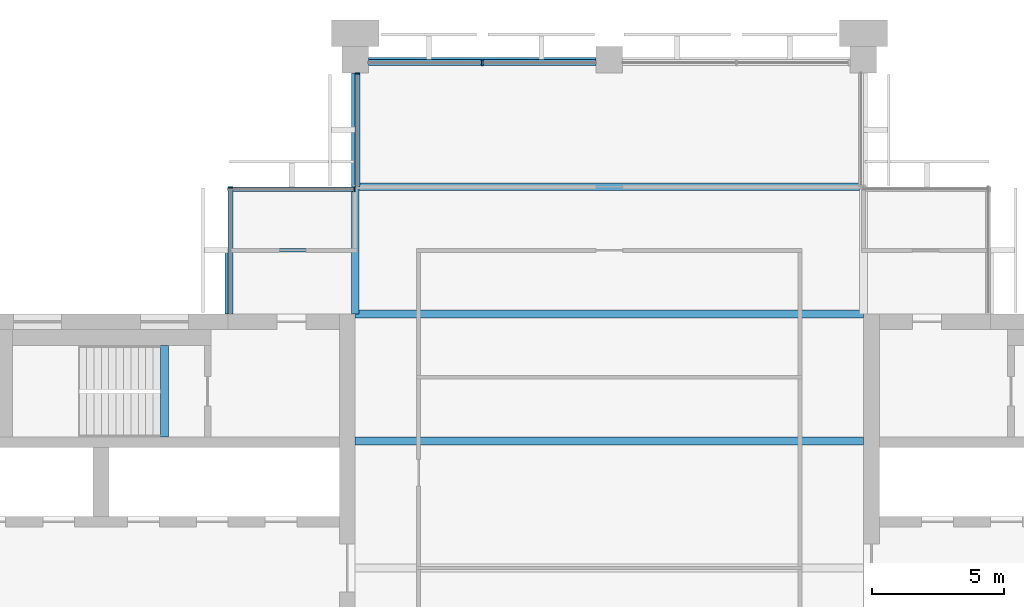
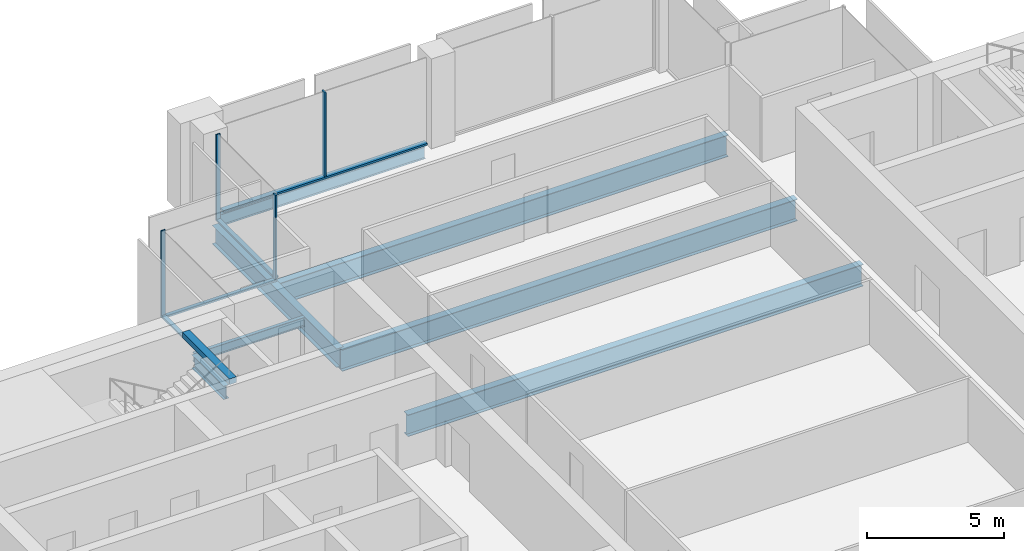
# One storey, part 5 of 12: 8 beams, 8 members, 4 elements without a shape of their own.
"""IFC4 building model written with IfcOpenShell, lengths in metres."""

import ifcopenshell
import ifcopenshell.guid

model = None  # the IFC model being written
_history = None  # IfcOwnerHistory: only IFC2X3 demands one
_inside = {}  # id of a spatial element -> (the spatial element, [elements in it])
_under = {}  # id of a project, library or spatial element -> (it, [spatial elements below it])
_declared = {}  # id of a project -> (the project, [libraries it declares])
_typed = {}  # id of a type object -> (the type object, [elements of that type])
_made_of = {}  # id of a material, layer set ... -> (it, [elements and type objects made of it])


def new_model(schema):
    """Start an empty IFC model of exactly this schema.

    Asked for "IFC4X3", IfcOpenShell would pick the latest addendum, in which some entities
    have other attributes; the version numbers below select the first issue.
    IFC2X3 requires an IfcOwnerHistory on every rooted entity: one is made here for all.
    """
    global model, _history
    if schema == "IFC4X3":
        model = ifcopenshell.file(schema_version=(4, 3, 0, 0))
    else:
        model = ifcopenshell.file(schema=schema)
    _inside.clear()
    _under.clear()
    _declared.clear()
    _typed.clear()
    _made_of.clear()
    _history = None
    if model.schema == "IFC2X3":
        org = make("IfcOrganization", Name="unknown")
        user = make(
            "IfcPersonAndOrganization",
            ThePerson=make("IfcPerson", FamilyName="unknown"),
            TheOrganization=org,
        )
        app = make(
            "IfcApplication",
            ApplicationDeveloper=org,
            Version="unknown",
            ApplicationFullName="unknown",
            ApplicationIdentifier="unknown",
        )
        _history = make(
            "IfcOwnerHistory",
            OwningUser=user,
            OwningApplication=app,
            ChangeAction="ADDED",
            CreationDate=0,
        )
    return model


def make(cls, **values):
    """One entity of the class cls with the attributes given. An attribute that is None is left unset."""
    return model.create_entity(
        cls, **{name: value for name, value in values.items() if value is not None}
    )


def rooted(cls, **values):
    """An entity with a GlobalId (a new one), such as an element, a storey or a relation."""
    return make(cls, GlobalId=ifcopenshell.guid.new(), OwnerHistory=_history, **values)


def si_unit(unit_type, name, prefix=None):
    """IfcSIUnit, for example si_unit("LENGTHUNIT", "METRE", prefix="MILLI")."""
    return make("IfcSIUnit", UnitType=unit_type, Prefix=prefix, Name=name)


def assignment(units):
    """IfcUnitAssignment: the units of a project."""
    return None if units is None else make("IfcUnitAssignment", Units=units)


def point(xyz):
    """IfcCartesianPoint."""
    return None if xyz is None else make("IfcCartesianPoint", Coordinates=xyz)


def direction(xyz):
    """IfcDirection."""
    return None if xyz is None else make("IfcDirection", DirectionRatios=xyz)


def frame(location, z_axis=None, x_axis=None):
    """IfcAxis2Placement3D, a coordinate frame: its origin and axes. An axis left out is left unset."""
    return make(
        "IfcAxis2Placement3D",
        Location=point(location),
        Axis=direction(z_axis),
        RefDirection=direction(x_axis),
    )


def frame_2d(location, x_axis=None):
    """IfcAxis2Placement2D, a coordinate frame in the plane: its origin and x axis."""
    return make(
        "IfcAxis2Placement2D", Location=point(location), RefDirection=direction(x_axis)
    )


def origin():
    """The frame at (0, 0, 0) with its axes left unset."""
    return frame((0.0, 0.0, 0.0))


def origin_2d():
    """The frame at (0, 0) in the plane with its x axis left unset."""
    return frame_2d((0.0, 0.0))


def place(relative_to, where):
    """IfcLocalPlacement: puts the frame where relative to a parent placement (None: the world)."""
    return make(
        "IfcLocalPlacement", PlacementRelTo=relative_to, RelativePlacement=where
    )


def context(
    kind, dimensions, precision=None, world=None, true_north=None, identifier=None
):
    """IfcGeometricRepresentationContext, for example the 3D "Model" context."""
    return make(
        "IfcGeometricRepresentationContext",
        ContextIdentifier=identifier,
        ContextType=kind,
        CoordinateSpaceDimension=dimensions,
        Precision=precision,
        WorldCoordinateSystem=world,
        TrueNorth=true_north,
    )


def subcontext(parent, identifier, kind, view, scale=None):
    """IfcGeometricRepresentationSubContext, for example "Body" below "Model"."""
    return make(
        "IfcGeometricRepresentationSubContext",
        ContextIdentifier=identifier,
        ContextType=kind,
        ParentContext=parent,
        TargetScale=scale,
        TargetView=view,
    )


def project(units=None, contexts=None):
    """IfcProject with its units and contexts."""
    return rooted(
        "IfcProject",
        Name="project",
        RepresentationContexts=contexts,
        UnitsInContext=assignment(units),
    )


def spatial(cls, under=None, at=None, **own):
    """A site, building, storey or space (cls), placed at a placement, below another one or the project."""
    s = rooted(cls, ObjectPlacement=at, **own)
    if under is not None:
        _under.setdefault(under.id(), (under, []))[1].append(s)
    return s


def profile(cls, at=None, kind="AREA", **sizes):
    """A parametric profile (cls). Its sizes go by their IFC names, for example OverallWidth=200.0."""
    return make(cls, ProfileType=kind, Position=at, **sizes)


def rectangle(**sizes):
    """IfcRectangleProfileDef."""
    return profile("IfcRectangleProfileDef", **sizes)


def i_section(**sizes):
    """IfcIShapeProfileDef."""
    return profile("IfcIShapeProfileDef", **sizes)


def extrude(swept, where, along, depth):
    """IfcExtrudedAreaSolid: the profile swept, set in the frame where, extruded along a direction by depth."""
    return make(
        "IfcExtrudedAreaSolid",
        SweptArea=swept,
        Position=where,
        ExtrudedDirection=direction(along),
        Depth=depth,
    )


def shape(context_of_items, identifier, shape_type, items):
    """IfcShapeRepresentation: the items that make up one representation, for example the "Body"."""
    return make(
        "IfcShapeRepresentation",
        ContextOfItems=context_of_items,
        RepresentationIdentifier=identifier,
        RepresentationType=shape_type,
        Items=items,
    )


def material(Name=None, Category=None):
    """IfcMaterial."""
    return make("IfcMaterial", Name=Name, Category=Category)


def material_profile(
    of_material, cross_section, Name=None, Category=None, Priority=None
):
    """IfcMaterialProfile: a cross section and its material."""
    return make(
        "IfcMaterialProfile",
        Name=Name,
        Material=of_material,
        Profile=cross_section,
        Priority=Priority,
        Category=Category,
    )


def profile_set(profiles, Name=None, composite=None):
    """IfcMaterialProfileSet."""
    return make(
        "IfcMaterialProfileSet",
        Name=Name,
        MaterialProfiles=profiles,
        CompositeProfile=composite,
    )


def made_of(thing, what):
    """Note that an element or type object is made of a material, layer set ...; save() writes the relation."""
    if what is not None:
        _made_of.setdefault(what.id(), (what, []))[1].append(thing)
    return thing


def type_object(cls, material=None, **own):
    """A type object (cls), such as IfcWallType, which elements share."""
    return made_of(rooted(cls, **own), material)


def element(
    cls,
    number,
    at=None,
    inside=None,
    cuts=None,
    type_object=None,
    material=None,
    context=None,
    identifier="Body",
    shape_type=None,
    held_by="IfcProductDefinitionShape",
    body=None,
    shapes=None,
    **own,
):
    """One element of the class cls, such as IfcWall. Its Tag is "e" and its number.

    at: its placement. inside: the storey or other place that contains it. cuts: it is an
    opening in that element (IfcRelVoidsElement). A single representation is given by context,
    identifier, shape_type and body (its items); several are given by shapes. held_by: the class
    of the entity that holds the representations. save() writes the other relations.
    """
    e = rooted(cls, Tag="e%d" % number, ObjectPlacement=at, **own)
    if body is not None:
        shapes = [shape(context, identifier, shape_type, body)]
    if shapes is not None:
        e.Representation = make(held_by, Representations=shapes)
    if inside is not None:
        _inside.setdefault(inside.id(), (inside, []))[1].append(e)
    if cuts is not None:
        rooted(
            "IfcRelVoidsElement", RelatingBuildingElement=cuts, RelatedOpeningElement=e
        )
    if type_object is not None:
        _typed.setdefault(type_object.id(), (type_object, []))[1].append(e)
    return made_of(e, material)


def aggregate(whole, parts):
    """IfcRelAggregates: a whole, such as a stair, and the parts it consists of."""
    return rooted("IfcRelAggregates", RelatingObject=whole, RelatedObjects=parts)


def save(model, path):
    """Write the relations noted so far, then the file.

    IfcRelAggregates (storeys below a building ...), IfcRelContainedInSpatialStructure (elements
    in a storey), IfcRelDefinesByType, IfcRelAssociatesMaterial and IfcRelDeclares: one each for
    every whole, place, type object, material and project.
    """
    for whole, parts in _under.values():
        aggregate(whole, parts)
    for where, things in _inside.values():
        rooted(
            "IfcRelContainedInSpatialStructure",
            RelatedElements=things,
            RelatingStructure=where,
        )
    for kind, things in _typed.values():
        rooted("IfcRelDefinesByType", RelatedObjects=things, RelatingType=kind)
    for what, things in _made_of.values():
        rooted("IfcRelAssociatesMaterial", RelatedObjects=things, RelatingMaterial=what)
    for by, libraries in _declared.values():
        rooted("IfcRelDeclares", RelatingContext=by, RelatedDefinitions=libraries)
    model.write(path)


model = new_model("IFC4")

# Units and contexts
model_context = context("Model", 3, precision=1e-05, world=origin(), true_north=direction((0.0, 1.0)))
body_context = subcontext(model_context, "Body", "Model", "MODEL_VIEW")
ifc_project = project(units=[si_unit("LENGTHUNIT", "METRE"), si_unit("AREAUNIT", "SQUARE_METRE"), si_unit("VOLUMEUNIT", "CUBIC_METRE"), si_unit("PLANEANGLEUNIT", "RADIAN"), si_unit("MASSUNIT", "GRAM", prefix="KILO")], contexts=[model_context])

# Site, building, storey
site_placement = place(None, origin())
site = spatial("IfcSite", under=ifc_project, at=site_placement, CompositionType="ELEMENT")
building_placement = place(site_placement, origin())
building = spatial("IfcBuilding", under=site, at=building_placement, Name="Baori Bourse Tower", CompositionType="ELEMENT")
storey_placement = place(building_placement, frame((0.0, 0.0, 322.300048828125)))
storey = spatial("IfcBuildingStorey", under=building, at=storey_placement, Name="L71", CompositionType="ELEMENT", Elevation=322.300048828125)

# Curtain wall, member
ifc_material_1 = material(Name="Pale anodised aluminium", Category="aluminium")
curtain_wall_type_1 = type_object("IfcCurtainWallType", Name="CW2 Curtain wall", PredefinedType="NOTDEFINED", material=ifc_material_1)
curtain_wall_1_placement = place(storey_placement, origin())
curtain_wall_1 = element("IfcCurtainWall", 1, at=curtain_wall_1_placement, inside=storey, type_object=curtain_wall_type_1, Name="Curtain wall CW2 L71 5", PredefinedType="NOTDEFINED")
ifc_material_2 = material(Name="Pale anodised aluminium", Category="aluminium")
ifc_material_profile_1 = material_profile(ifc_material_2, rectangle(XDim=0.179931640625, YDim=0.054931640625, at=origin_2d()), Name="Mullion 55x180")
ifc_profile_set_1 = profile_set([ifc_material_profile_1], Name="Pale anodised aluminium")
member_type_1 = type_object("IfcMemberType", Name="CW2 Curtain wall mullion", PredefinedType="MULLION", material=ifc_profile_set_1)
member_1_placement = place(storey_placement, frame((19.2900390625, 47.472412109375, 0.070068359375), z_axis=(0.0, 0.0, 1.0), x_axis=(1.0, 0.0, 0.0)))
member_1 = element("IfcMember", 2, at=member_1_placement, type_object=member_type_1, Name="Curtain wall CW2 mullion", PredefinedType="MULLION", context=body_context, shape_type="SweptSolid", body=[
    extrude(rectangle(XDim=0.179931640625, YDim=0.054931640625, at=origin_2d()), origin(), (0.0, 0.0, 1.0), 3.769775390625),
])

curtain_wall_2_placement = place(storey_placement, origin())
curtain_wall_2 = element("IfcCurtainWall", 3, at=curtain_wall_2_placement, inside=storey, type_object=curtain_wall_type_1, Name="Curtain wall CW2 L71 6", PredefinedType="NOTDEFINED")
member_2_placement = place(storey_placement, frame((19.172607421875, 43.110107421875, 0.070068359375), z_axis=(0.0, 0.0, 1.0), x_axis=(0.0, -1.0, 0.0)))
member_2 = element("IfcMember", 4, at=member_2_placement, type_object=member_type_1, Name="Curtain wall CW2 mullion", PredefinedType="MULLION", context=body_context, shape_type="SweptSolid", body=[
    extrude(rectangle(XDim=0.179931640625, YDim=0.054931640625, at=origin_2d()), origin(), (0.0, 0.0, 1.0), 3.769775390625),
])

curtain_wall_3_placement = place(storey_placement, origin())
curtain_wall_3 = element("IfcCurtainWall", 5, at=curtain_wall_3_placement, inside=storey, type_object=curtain_wall_type_1, Name="Curtain wall CW2 L71 7", PredefinedType="NOTDEFINED")
member_3_placement = place(storey_placement, frame((14.489990234375, 43.172607421875, 0.070068359375), z_axis=(0.0, 0.0, 1.0), x_axis=(1.0, 0.0, 0.0)))
member_3 = element("IfcMember", 6, at=member_3_placement, type_object=member_type_1, Name="Curtain wall CW2 mullion", PredefinedType="MULLION", context=body_context, shape_type="SweptSolid", body=[
    extrude(rectangle(XDim=0.179931640625, YDim=0.054931640625, at=origin_2d()), origin(), (0.0, 0.0, 1.0), 3.769775390625),
])

# Member
ifc_material_3 = material(Name="Pale anodised aluminium", Category="aluminium")
ifc_material_profile_2 = material_profile(ifc_material_3, rectangle(XDim=0.179931640625, YDim=0.070068359375, at=origin_2d()), Name="Transom 70x180")
ifc_profile_set_2 = profile_set([ifc_material_profile_2], Name="Pale anodised aluminium")
member_type_2 = type_object("IfcMemberType", Name="CW2 Curtain wall transom", PredefinedType="USERDEFINED", material=ifc_profile_set_2)
member_4_placement = place(storey_placement, frame((19.2900390625, 47.5, 0.034912109375), z_axis=(0.0, -1.0, 0.0), x_axis=(1.0, 0.0, 0.0)))
member_4 = element("IfcMember", 7, at=member_4_placement, type_object=member_type_2, Name="Curtain wall CW2 sill rail", ObjectType="TRANSOM", PredefinedType="USERDEFINED", context=body_context, shape_type="SweptSolid", body=[
    extrude(rectangle(XDim=0.179931640625, YDim=0.070068359375, at=origin_2d()), origin(), (0.0, 0.0, 1.0), 4.300048828125),
])

aggregate(curtain_wall_1, [member_4, member_1])

member_5_placement = place(storey_placement, frame((19.199951171875, 43.110107421875, 0.034912109375), z_axis=(-1.0, 0.0, 0.0), x_axis=(0.0, -1.0, 0.0)))
member_5 = element("IfcMember", 8, at=member_5_placement, type_object=member_type_2, Name="Curtain wall CW2 sill rail", ObjectType="TRANSOM", PredefinedType="USERDEFINED", context=body_context, shape_type="SweptSolid", body=[
    extrude(rectangle(XDim=0.179931640625, YDim=0.070068359375, at=origin_2d()), origin(), (0.0, 0.0, 1.0), 4.800048828125),
])

aggregate(curtain_wall_2, [member_5, member_2])

member_6_placement = place(storey_placement, frame((14.489990234375, 43.199951171875, 0.034912109375), z_axis=(0.0, -1.0, 0.0), x_axis=(1.0, 0.0, 0.0)))
member_6 = element("IfcMember", 9, at=member_6_placement, type_object=member_type_2, Name="Curtain wall CW2 sill rail", ObjectType="TRANSOM", PredefinedType="USERDEFINED", context=body_context, shape_type="SweptSolid", body=[
    extrude(rectangle(XDim=0.179931640625, YDim=0.070068359375, at=origin_2d()), origin(), (0.0, 0.0, 1.0), 4.800048828125),
])

aggregate(curtain_wall_3, [member_6, member_3])

# Curtain wall, members
ifc_material_4 = material(Name="Pale anodised aluminium", Category="aluminium")
curtain_wall_type_2 = type_object("IfcCurtainWallType", Name="CW5 Curtain wall", PredefinedType="NOTDEFINED", material=ifc_material_4)
curtain_wall_4_placement = place(storey_placement, origin())
curtain_wall_4 = element("IfcCurtainWall", 10, at=curtain_wall_4_placement, inside=storey, type_object=curtain_wall_type_2, Name="Curtain wall CW5 L71 4", PredefinedType="NOTDEFINED")
ifc_material_5 = material(Name="Pale anodised aluminium", Category="aluminium")
ifc_material_profile_3 = material_profile(ifc_material_5, rectangle(XDim=0.219970703125, YDim=0.06494140625, at=origin_2d()), Name="Mullion 65x220")
ifc_profile_set_3 = profile_set([ifc_material_profile_3], Name="Pale anodised aluminium")
member_type_3 = type_object("IfcMemberType", Name="CW5 Curtain wall mullion", PredefinedType="MULLION", material=ifc_profile_set_3)
member_7_placement = place(storey_placement, frame((24.0, 47.889892578125, 0.0849609375), z_axis=(0.0, 0.0, 1.0), x_axis=(0.0, -1.0, 0.0)))
member_7 = element("IfcMember", 11, at=member_7_placement, type_object=member_type_3, Name="Curtain wall CW5 mullion", PredefinedType="MULLION", context=body_context, shape_type="SweptSolid", body=[
    extrude(rectangle(XDim=0.219970703125, YDim=0.06494140625, at=origin_2d()), origin(), (0.0, 0.0, 1.0), 3.7548828125),
])
ifc_material_6 = material(Name="Pale anodised aluminium", Category="aluminium")
ifc_material_profile_4 = material_profile(ifc_material_6, rectangle(XDim=0.219970703125, YDim=0.0849609375, at=origin_2d()), Name="Transom 85x220")
ifc_profile_set_4 = profile_set([ifc_material_profile_4], Name="Pale anodised aluminium")
member_type_4 = type_object("IfcMemberType", Name="CW5 Curtain wall transom", PredefinedType="USERDEFINED", material=ifc_profile_set_4)
member_8_placement = place(storey_placement, frame((28.300048828125, 47.889892578125, 0.04248046875), z_axis=(-1.0, 0.0, 0.0), x_axis=(0.0, -1.0, 0.0)))
member_8 = element("IfcMember", 12, at=member_8_placement, type_object=member_type_4, Name="Curtain wall CW5 sill rail", ObjectType="TRANSOM", PredefinedType="USERDEFINED", context=body_context, shape_type="SweptSolid", body=[
    extrude(rectangle(XDim=0.219970703125, YDim=0.0849609375, at=origin_2d()), origin(), (0.0, 0.0, 1.0), 8.60009765625),
])
aggregate(curtain_wall_4, [member_8, member_7])

# Beams
ifc_material_7 = material(Name="Steel A992 Gr 50", Category="steel")
ifc_material_profile_5 = material_profile(ifc_material_7, i_section(OverallWidth=0.227783203125, OverallDepth=0.60205078125, WebThickness=0.010498046875, FlangeThickness=0.014892578125, at=origin_2d()), Name="W24x68")
ifc_profile_set_5 = profile_set([ifc_material_profile_5], Name="Steel A992 Gr 50")
beam_type_1 = type_object("IfcBeamType", Name="Core bracket W24x68", PredefinedType="BEAM", material=ifc_profile_set_5)
beam_1_placement = place(storey_placement, frame((14.39990234375, 38.39990234375, -0.4609375), z_axis=(0.0, 1.0, 0.0), x_axis=(-1.0, 0.0, 0.0)))
element("IfcBeam", 13, at=beam_1_placement, inside=storey, type_object=beam_type_1, Name="Core bracket L71", PredefinedType="BEAM", context=body_context, shape_type="SweptSolid", body=[
    extrude(i_section(OverallWidth=0.227783203125, OverallDepth=0.60205078125, WebThickness=0.010498046875, FlangeThickness=0.014892578125, at=origin_2d()), origin(), (0.0, 0.0, 1.0), 2.329833984375),
])
ifc_material_8 = material(Name="Steel A992 Gr 50", Category="steel")
ifc_material_profile_6 = material_profile(ifc_material_8, i_section(OverallWidth=0.1650390625, OverallDepth=0.52587890625, WebThickness=0.0087890625, FlangeThickness=0.011474609375, at=origin_2d()), Name="W21x44")
ifc_profile_set_6 = profile_set([ifc_material_profile_6], Name="Steel A992 Gr 50")
beam_type_2 = type_object("IfcBeamType", Name="Edge beam W21x44", PredefinedType="BEAM", material=ifc_profile_set_6)
beam_2_placement = place(storey_placement, frame((19.699951171875, 48.0, -0.4228515625), z_axis=(1.0, 0.0, 0.0), x_axis=(0.0, 1.0, 0.0)))
element("IfcBeam", 14, at=beam_2_placement, inside=storey, type_object=beam_type_2, Name="Edge beam L71", PredefinedType="BEAM", context=body_context, shape_type="SweptSolid", body=[
    extrude(i_section(OverallWidth=0.1650390625, OverallDepth=0.52587890625, WebThickness=0.0087890625, FlangeThickness=0.011474609375, at=origin_2d()), origin(), (0.0, 0.0, 1.0), 8.60009765625),
])
ifc_material_9 = material(Name="Steel A992 Gr 50", Category="steel")
ifc_material_profile_7 = material_profile(ifc_material_9, i_section(OverallWidth=0.2998046875, OverallDepth=0.97021484375, WebThickness=0.01611328125, FlangeThickness=0.02099609375, at=origin_2d()), Name="W40x149")
ifc_profile_set_7 = profile_set([ifc_material_profile_7], Name="Steel A992 Gr 50")
beam_type_3 = type_object("IfcBeamType", Name="Floor beam W40x149", PredefinedType="BEAM", material=ifc_profile_set_7)
for number, where, z_axis, x_axis, name in (
    (15, (19.199951171875, 33.60009765625, -0.645263671875), (1.0, 0.0, 0.0), (0.0, 1.0, 0.0), "Floor beam L71"),
    (16, (19.199951171875, 38.39990234375, -0.645263671875), (1.0, 0.0, 0.0), (0.0, 1.0, 0.0), "Floor beam L71"),
):
    element("IfcBeam", number, at=place(storey_placement, frame(where, z_axis=z_axis, x_axis=x_axis)), inside=storey, type_object=beam_type_3, Name=name, PredefinedType="BEAM", context=body_context, shape_type="SweptSolid", body=[
        extrude(i_section(OverallWidth=0.2998046875, OverallDepth=0.97021484375, WebThickness=0.01611328125, FlangeThickness=0.02099609375, at=origin_2d()), origin(), (0.0, 0.0, 1.0), 19.199951171875),
    ])
beam_3_placement = place(storey_placement, frame((19.345947265625, 43.199951171875, -0.645263671875), z_axis=(1.0, 0.0, 0.0), x_axis=(0.0, 1.0, 0.0)))
element("IfcBeam", 17, at=beam_3_placement, inside=storey, type_object=beam_type_3, Name="Floor beam L71", PredefinedType="BEAM", context=body_context, shape_type="SweptSolid", body=[
    extrude(i_section(OverallWidth=0.2998046875, OverallDepth=0.97021484375, WebThickness=0.01611328125, FlangeThickness=0.02099609375, at=origin_2d()), origin(), (0.0, 0.0, 1.0), 18.907958984375),
])
ifc_material_10 = material(Name="Steel A992 Gr 50", Category="steel")
ifc_material_profile_8 = material_profile(ifc_material_10, i_section(OverallWidth=0.2919921875, OverallDepth=0.835693359375, WebThickness=0.013916015625, FlangeThickness=0.018798828125, at=origin_2d()), Name="W33x118")
ifc_profile_set_8 = profile_set([ifc_material_profile_8], Name="Steel A992 Gr 50")
beam_type_4 = type_object("IfcBeamType", Name="Girder W33x118", PredefinedType="BEAM", material=ifc_profile_set_8)
beam_4_placement = place(storey_placement, frame((19.199951171875, 38.39990234375, -0.577880859375), z_axis=(0.0, 1.0, 0.0), x_axis=(-1.0, 0.0, 0.0)))
element("IfcBeam", 18, at=beam_4_placement, inside=storey, type_object=beam_type_4, Name="Girder L71", PredefinedType="BEAM", context=body_context, shape_type="SweptSolid", body=[
    extrude(i_section(OverallWidth=0.2919921875, OverallDepth=0.835693359375, WebThickness=0.013916015625, FlangeThickness=0.018798828125, at=origin_2d()), origin(), (0.0, 0.0, 1.0), 9.10009765625),
])
ifc_material_11 = material(Name="Concrete f'c 50 MPa", Category="concrete")
ifc_material_profile_9 = material_profile(ifc_material_11, rectangle(XDim=0.300048828125, YDim=0.25, at=origin_2d()), Name="RC 300x250")
ifc_profile_set_9 = profile_set([ifc_material_profile_9], Name="Concrete f'c 50 MPa")
beam_type_5 = type_object("IfcBeamType", Name="Stair nib beam RC 300x250", PredefinedType="BEAM", material=ifc_profile_set_9)
beam_5_placement = place(storey_placement, frame((12.0, 33.75, 3.71484375), z_axis=(0.0, 1.0, 0.0), x_axis=(-1.0, 0.0, 0.0)))
element("IfcBeam", 19, at=beam_5_placement, inside=storey, type_object=beam_type_5, Name="Stair WB nib beam L72", PredefinedType="BEAM", context=body_context, shape_type="SweptSolid", body=[
    extrude(rectangle(XDim=0.300048828125, YDim=0.25, at=origin_2d()), origin(), (0.0, 0.0, 1.0), 3.449951171875),
])
ifc_material_12 = material(Name="Steel A992 Gr 50", Category="steel")
ifc_material_profile_10 = material_profile(ifc_material_12, i_section(OverallWidth=0.140380859375, OverallDepth=0.40380859375, WebThickness=0.007080078125, FlangeThickness=0.01123046875, at=origin_2d()), Name="W16x31")
ifc_profile_set_10 = profile_set([ifc_material_profile_10], Name="Steel A992 Gr 50")
beam_type_6 = type_object("IfcBeamType", Name="Trimmer beam W16x31", PredefinedType="BEAM", material=ifc_profile_set_10)
beam_6_placement = place(storey_placement, frame((14.39990234375, 40.800048828125, -0.362060546875), z_axis=(1.0, 0.0, 0.0), x_axis=(0.0, 1.0, 0.0)))
element("IfcBeam", 20, at=beam_6_placement, inside=storey, type_object=beam_type_6, Name="Trimmer beam L71", PredefinedType="BEAM", context=body_context, shape_type="SweptSolid", body=[
    extrude(i_section(OverallWidth=0.140380859375, OverallDepth=0.40380859375, WebThickness=0.007080078125, FlangeThickness=0.01123046875, at=origin_2d()), origin(), (0.0, 0.0, 1.0), 4.654052734375),
])

save(model, "model.ifc")
